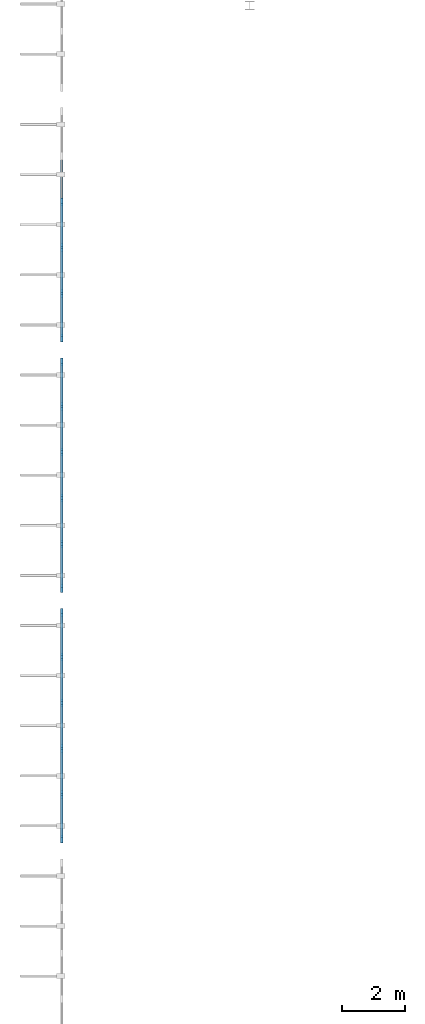
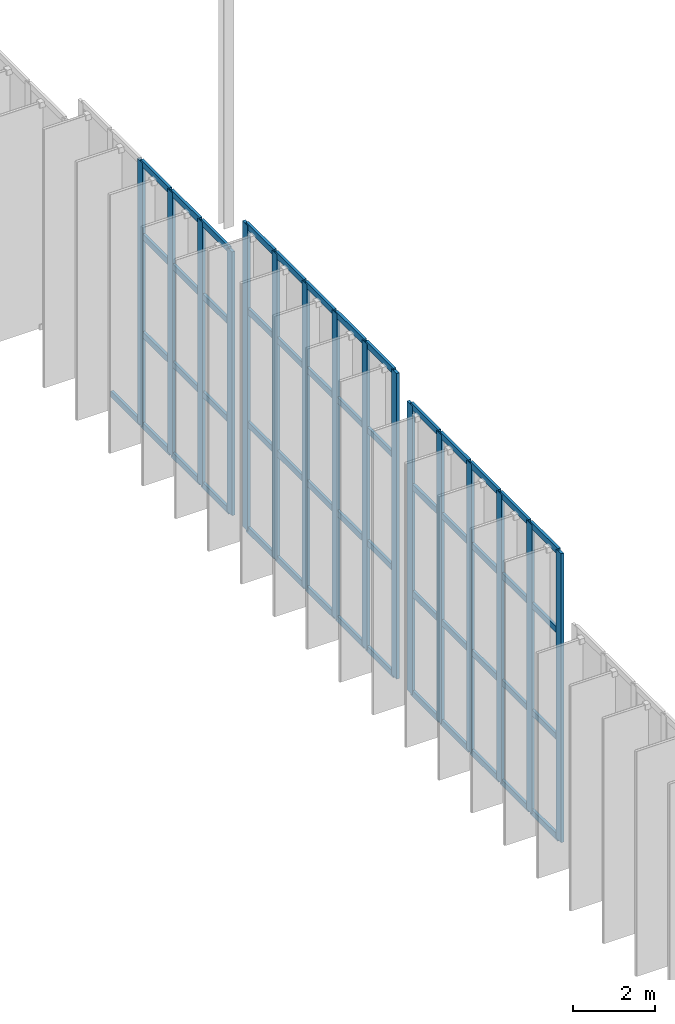
# One storey, part 6 of 38: 69 members, 3 elements without a shape of their own.
"""IFC4 building model written with IfcOpenShell, lengths in metres."""

from ifc_helpers import new_model, si_unit, direction, frame, origin, origin_2d, place, context, subcontext, project, spatial, rectangle, extrude, material, layer, layer_set, material_profile, profile_set, type_object, element, aggregate, save


model = new_model("IFC4")

# Units and contexts
model_context = context("Model", 3, precision=1e-05, world=origin(), true_north=direction((0.0, 1.0)))
body_context = subcontext(model_context, "Body", "Model", "MODEL_VIEW")
ifc_project = project(units=[si_unit("LENGTHUNIT", "METRE"), si_unit("AREAUNIT", "SQUARE_METRE"), si_unit("VOLUMEUNIT", "CUBIC_METRE"), si_unit("PLANEANGLEUNIT", "RADIAN"), si_unit("MASSUNIT", "GRAM", prefix="KILO")], contexts=[model_context])

# Site, building, storey
site_placement = place(None, origin())
site = spatial("IfcSite", under=ifc_project, at=site_placement, CompositionType="ELEMENT")
building_placement = place(site_placement, origin())
building = spatial("IfcBuilding", under=site, at=building_placement, Name="Drelvana Railside Aquatics Centre", CompositionType="ELEMENT")
storey_placement = place(building_placement, frame((0.0, 0.0, 14.39990234375)))
storey = spatial("IfcBuildingStorey", under=building, at=storey_placement, Name="L03", CompositionType="ELEMENT", Elevation=14.39990234375)

# Curtain wall, members
ifc_material_1 = material(Name="Bronze-anodised aluminium curtain wall", Category="aluminium")
ifc_layer = layer(ifc_material_1, 0.219970703125, Name="Bronze-anodised aluminium curtain wall")
ifc_layer_set = layer_set([ifc_layer], Name="Bronze-anodised aluminium curtain wall")
curtain_wall_type = type_object("IfcCurtainWallType", Name="CW-Z3-HIGH", PredefinedType="NOTDEFINED", material=ifc_layer_set)
curtain_wall_1_placement = place(storey_placement, origin())
curtain_wall_1 = element("IfcCurtainWall", 1, at=curtain_wall_1_placement, inside=storey, type_object=curtain_wall_type, Name="Curtain wall CW-03-048", PredefinedType="NOTDEFINED")
ifc_material_2 = material(Name="Bronze-anodised aluminium 6063-T6", Category="aluminium")
ifc_material_profile_1 = material_profile(ifc_material_2, rectangle(XDim=0.080078125, YDim=0.25, at=origin_2d()), Name="ALU-M 80x250")
ifc_profile_set_1 = profile_set([ifc_material_profile_1], Name="Bronze-anodised aluminium 6063-T6")
member_type_1 = type_object("IfcMemberType", Name="CW-Z3-HIGH-MUL", PredefinedType="MULLION", material=ifc_profile_set_1)
member_1_placement = place(storey_placement, frame((0.0, 40.384033203125, -0.005859375), z_axis=(0.0, 0.0, 1.0), x_axis=(-1.0, 0.0, 0.0)))
member_1 = element("IfcMember", 2, at=member_1_placement, type_object=member_type_1, Name="CW-03 mullion 1", PredefinedType="MULLION", context=body_context, shape_type="SweptSolid", body=[
    extrude(rectangle(XDim=0.080078125, YDim=0.25, at=origin_2d()), origin(), (0.0, 0.0, 1.0), 8.576904296875),
])
member_2_placement = place(storey_placement, frame((0.0, 41.806396484375, -0.005859375), z_axis=(0.0, 0.0, 1.0), x_axis=(-1.0, 0.0, 0.0)))
member_2 = element("IfcMember", 3, at=member_2_placement, type_object=member_type_1, Name="CW-03 mullion 2", PredefinedType="MULLION", context=body_context, shape_type="SweptSolid", body=[
    extrude(rectangle(XDim=0.080078125, YDim=0.25, at=origin_2d()), origin(), (0.0, 0.0, 1.0), 8.576904296875),
])
member_3_placement = place(storey_placement, frame((0.0, 43.268798828125, -0.005859375), z_axis=(0.0, 0.0, 1.0), x_axis=(-1.0, 0.0, 0.0)))
member_3 = element("IfcMember", 4, at=member_3_placement, type_object=member_type_1, Name="CW-03 mullion 3", PredefinedType="MULLION", context=body_context, shape_type="SweptSolid", body=[
    extrude(rectangle(XDim=0.080078125, YDim=0.25, at=origin_2d()), origin(), (0.0, 0.0, 1.0), 8.576904296875),
])
member_4_placement = place(storey_placement, frame((0.0, 44.731201171875, -0.005859375), z_axis=(0.0, 0.0, 1.0), x_axis=(-1.0, 0.0, 0.0)))
member_4 = element("IfcMember", 5, at=member_4_placement, type_object=member_type_1, Name="CW-03 mullion 4", PredefinedType="MULLION", context=body_context, shape_type="SweptSolid", body=[
    extrude(rectangle(XDim=0.080078125, YDim=0.25, at=origin_2d()), origin(), (0.0, 0.0, 1.0), 8.576904296875),
])
member_5_placement = place(storey_placement, frame((0.0, 46.193603515625, -0.005859375), z_axis=(0.0, 0.0, 1.0), x_axis=(-1.0, 0.0, 0.0)))
member_5 = element("IfcMember", 6, at=member_5_placement, type_object=member_type_1, Name="CW-03 mullion 5", PredefinedType="MULLION", context=body_context, shape_type="SweptSolid", body=[
    extrude(rectangle(XDim=0.080078125, YDim=0.25, at=origin_2d()), origin(), (0.0, 0.0, 1.0), 8.576904296875),
])
member_6_placement = place(storey_placement, frame((0.0, 47.615966796875, -0.005859375), z_axis=(0.0, 0.0, 1.0), x_axis=(-1.0, 0.0, 0.0)))
member_6 = element("IfcMember", 7, at=member_6_placement, type_object=member_type_1, Name="CW-03 mullion 6", PredefinedType="MULLION", context=body_context, shape_type="SweptSolid", body=[
    extrude(rectangle(XDim=0.080078125, YDim=0.25, at=origin_2d()), origin(), (0.0, 0.0, 1.0), 8.576904296875),
])

curtain_wall_2_placement = place(storey_placement, origin())
curtain_wall_2 = element("IfcCurtainWall", 8, at=curtain_wall_2_placement, inside=storey, type_object=curtain_wall_type, Name="Curtain wall CW-03-049", PredefinedType="NOTDEFINED")
member_7_placement = place(storey_placement, frame((0.0, 48.384033203125, -0.005859375), z_axis=(0.0, 0.0, 1.0), x_axis=(-1.0, 0.0, 0.0)))
member_7 = element("IfcMember", 9, at=member_7_placement, type_object=member_type_1, Name="CW-03 mullion 1", PredefinedType="MULLION", context=body_context, shape_type="SweptSolid", body=[
    extrude(rectangle(XDim=0.080078125, YDim=0.25, at=origin_2d()), origin(), (0.0, 0.0, 1.0), 9.075927734375),
])
member_8_placement = place(storey_placement, frame((0.0, 49.806396484375, -0.005859375), z_axis=(0.0, 0.0, 1.0), x_axis=(-1.0, 0.0, 0.0)))
member_8 = element("IfcMember", 10, at=member_8_placement, type_object=member_type_1, Name="CW-03 mullion 2", PredefinedType="MULLION", context=body_context, shape_type="SweptSolid", body=[
    extrude(rectangle(XDim=0.080078125, YDim=0.25, at=origin_2d()), origin(), (0.0, 0.0, 1.0), 9.075927734375),
])
member_9_placement = place(storey_placement, frame((0.0, 51.268798828125, -0.005859375), z_axis=(0.0, 0.0, 1.0), x_axis=(-1.0, 0.0, 0.0)))
member_9 = element("IfcMember", 11, at=member_9_placement, type_object=member_type_1, Name="CW-03 mullion 3", PredefinedType="MULLION", context=body_context, shape_type="SweptSolid", body=[
    extrude(rectangle(XDim=0.080078125, YDim=0.25, at=origin_2d()), origin(), (0.0, 0.0, 1.0), 9.075927734375),
])
member_10_placement = place(storey_placement, frame((0.0, 52.731201171875, -0.005859375), z_axis=(0.0, 0.0, 1.0), x_axis=(-1.0, 0.0, 0.0)))
member_10 = element("IfcMember", 12, at=member_10_placement, type_object=member_type_1, Name="CW-03 mullion 4", PredefinedType="MULLION", context=body_context, shape_type="SweptSolid", body=[
    extrude(rectangle(XDim=0.080078125, YDim=0.25, at=origin_2d()), origin(), (0.0, 0.0, 1.0), 9.075927734375),
])
member_11_placement = place(storey_placement, frame((0.0, 54.193603515625, -0.005859375), z_axis=(0.0, 0.0, 1.0), x_axis=(-1.0, 0.0, 0.0)))
member_11 = element("IfcMember", 13, at=member_11_placement, type_object=member_type_1, Name="CW-03 mullion 5", PredefinedType="MULLION", context=body_context, shape_type="SweptSolid", body=[
    extrude(rectangle(XDim=0.080078125, YDim=0.25, at=origin_2d()), origin(), (0.0, 0.0, 1.0), 9.075927734375),
])
member_12_placement = place(storey_placement, frame((0.0, 55.615966796875, -0.005859375), z_axis=(0.0, 0.0, 1.0), x_axis=(-1.0, 0.0, 0.0)))
member_12 = element("IfcMember", 14, at=member_12_placement, type_object=member_type_1, Name="CW-03 mullion 6", PredefinedType="MULLION", context=body_context, shape_type="SweptSolid", body=[
    extrude(rectangle(XDim=0.080078125, YDim=0.25, at=origin_2d()), origin(), (0.0, 0.0, 1.0), 9.075927734375),
])

curtain_wall_3_placement = place(storey_placement, origin())
curtain_wall_3 = element("IfcCurtainWall", 15, at=curtain_wall_3_placement, inside=storey, type_object=curtain_wall_type, Name="Curtain wall CW-03-053", PredefinedType="NOTDEFINED")
member_13_placement = place(storey_placement, frame((0.0, 56.384033203125, -0.005859375), z_axis=(0.0, 0.0, 1.0), x_axis=(-1.0, 0.0, 0.0)))
member_13 = element("IfcMember", 16, at=member_13_placement, type_object=member_type_1, Name="CW-03 mullion 1", PredefinedType="MULLION", context=body_context, shape_type="SweptSolid", body=[
    extrude(rectangle(XDim=0.080078125, YDim=0.25, at=origin_2d()), origin(), (0.0, 0.0, 1.0), 7.830078125),
])
member_14_placement = place(storey_placement, frame((0.0, 57.806396484375, -0.005859375), z_axis=(0.0, 0.0, 1.0), x_axis=(-1.0, 0.0, 0.0)))
member_14 = element("IfcMember", 17, at=member_14_placement, type_object=member_type_1, Name="CW-03 mullion 2", PredefinedType="MULLION", context=body_context, shape_type="SweptSolid", body=[
    extrude(rectangle(XDim=0.080078125, YDim=0.25, at=origin_2d()), origin(), (0.0, 0.0, 1.0), 7.830078125),
])
member_15_placement = place(storey_placement, frame((0.0, 59.268798828125, -0.005859375), z_axis=(0.0, 0.0, 1.0), x_axis=(-1.0, 0.0, 0.0)))
member_15 = element("IfcMember", 18, at=member_15_placement, type_object=member_type_1, Name="CW-03 mullion 3", PredefinedType="MULLION", context=body_context, shape_type="SweptSolid", body=[
    extrude(rectangle(XDim=0.080078125, YDim=0.25, at=origin_2d()), origin(), (0.0, 0.0, 1.0), 7.830078125),
])
member_16_placement = place(storey_placement, frame((0.0, 60.731201171875, -0.005859375), z_axis=(0.0, 0.0, 1.0), x_axis=(-1.0, 0.0, 0.0)))
member_16 = element("IfcMember", 19, at=member_16_placement, type_object=member_type_1, Name="CW-03 mullion 4", PredefinedType="MULLION", context=body_context, shape_type="SweptSolid", body=[
    extrude(rectangle(XDim=0.080078125, YDim=0.25, at=origin_2d()), origin(), (0.0, 0.0, 1.0), 7.830078125),
])

# Member
ifc_material_profile_2 = material_profile(ifc_material_2, rectangle(XDim=0.179931640625, YDim=0.074951171875, at=origin_2d()), Name="ALU-T 75x180")
ifc_profile_set_2 = profile_set([ifc_material_profile_2], Name="Bronze-anodised aluminium 6063-T6")
member_type_2 = type_object("IfcMemberType", Name="CW-Z3-HIGH-TRN", PredefinedType="USERDEFINED", material=ifc_profile_set_2)
member_17_placement = place(storey_placement, frame((0.0, 40.4189453125, 0.031494140625), z_axis=(0.0, 1.0, 0.0), x_axis=(0.0, 0.0, 1.0)))
member_17 = element("IfcMember", 20, at=member_17_placement, type_object=member_type_2, Name="CW-03 transom 1.1", ObjectType="TRANSOM", PredefinedType="USERDEFINED", context=body_context, shape_type="SweptSolid", body=[
    extrude(rectangle(XDim=0.179931640625, YDim=0.074951171875, at=origin_2d()), origin(), (0.0, 0.0, 1.0), 1.3525390625),
])

member_18_placement = place(storey_placement, frame((0.0, 40.4189453125, 2.99609375), z_axis=(0.0, 1.0, 0.0), x_axis=(0.0, 0.0, 1.0)))
member_18 = element("IfcMember", 21, at=member_18_placement, type_object=member_type_2, Name="CW-03 transom 1.2", ObjectType="TRANSOM", PredefinedType="USERDEFINED", context=body_context, shape_type="SweptSolid", body=[
    extrude(rectangle(XDim=0.179931640625, YDim=0.074951171875, at=origin_2d()), origin(), (0.0, 0.0, 1.0), 1.3525390625),
])

member_19_placement = place(storey_placement, frame((0.0, 40.4189453125, 6.169189453125), z_axis=(0.0, 1.0, 0.0), x_axis=(0.0, 0.0, 1.0)))
member_19 = element("IfcMember", 22, at=member_19_placement, type_object=member_type_2, Name="CW-03 transom 1.3", ObjectType="TRANSOM", PredefinedType="USERDEFINED", context=body_context, shape_type="SweptSolid", body=[
    extrude(rectangle(XDim=0.179931640625, YDim=0.074951171875, at=origin_2d()), origin(), (0.0, 0.0, 1.0), 1.3525390625),
])

member_20_placement = place(storey_placement, frame((0.0, 40.4189453125, 8.53369140625), z_axis=(0.0, 1.0, 0.0), x_axis=(0.0, 0.0, 1.0)))
member_20 = element("IfcMember", 23, at=member_20_placement, type_object=member_type_2, Name="CW-03 transom 1.4", ObjectType="TRANSOM", PredefinedType="USERDEFINED", context=body_context, shape_type="SweptSolid", body=[
    extrude(rectangle(XDim=0.179931640625, YDim=0.074951171875, at=origin_2d()), origin(), (0.0, 0.0, 1.0), 1.3525390625),
])

member_21_placement = place(storey_placement, frame((0.0, 41.84130859375, 0.031494140625), z_axis=(0.0, 1.0, 0.0), x_axis=(0.0, 0.0, 1.0)))
member_21 = element("IfcMember", 24, at=member_21_placement, type_object=member_type_2, Name="CW-03 transom 2.1", ObjectType="TRANSOM", PredefinedType="USERDEFINED", context=body_context, shape_type="SweptSolid", body=[
    extrude(rectangle(XDim=0.179931640625, YDim=0.074951171875, at=origin_2d()), origin(), (0.0, 0.0, 1.0), 1.392578125),
])

member_22_placement = place(storey_placement, frame((0.0, 41.84130859375, 2.99609375), z_axis=(0.0, 1.0, 0.0), x_axis=(0.0, 0.0, 1.0)))
member_22 = element("IfcMember", 25, at=member_22_placement, type_object=member_type_2, Name="CW-03 transom 2.2", ObjectType="TRANSOM", PredefinedType="USERDEFINED", context=body_context, shape_type="SweptSolid", body=[
    extrude(rectangle(XDim=0.179931640625, YDim=0.074951171875, at=origin_2d()), origin(), (0.0, 0.0, 1.0), 1.392578125),
])

member_23_placement = place(storey_placement, frame((0.0, 41.84130859375, 6.169189453125), z_axis=(0.0, 1.0, 0.0), x_axis=(0.0, 0.0, 1.0)))
member_23 = element("IfcMember", 26, at=member_23_placement, type_object=member_type_2, Name="CW-03 transom 2.3", ObjectType="TRANSOM", PredefinedType="USERDEFINED", context=body_context, shape_type="SweptSolid", body=[
    extrude(rectangle(XDim=0.179931640625, YDim=0.074951171875, at=origin_2d()), origin(), (0.0, 0.0, 1.0), 1.392578125),
])

member_24_placement = place(storey_placement, frame((0.0, 41.84130859375, 8.53369140625), z_axis=(0.0, 1.0, 0.0), x_axis=(0.0, 0.0, 1.0)))
member_24 = element("IfcMember", 27, at=member_24_placement, type_object=member_type_2, Name="CW-03 transom 2.4", ObjectType="TRANSOM", PredefinedType="USERDEFINED", context=body_context, shape_type="SweptSolid", body=[
    extrude(rectangle(XDim=0.179931640625, YDim=0.074951171875, at=origin_2d()), origin(), (0.0, 0.0, 1.0), 1.392578125),
])

member_25_placement = place(storey_placement, frame((0.0, 43.3037109375, 0.031494140625), z_axis=(0.0, 1.0, 0.0), x_axis=(0.0, 0.0, 1.0)))
member_25 = element("IfcMember", 28, at=member_25_placement, type_object=member_type_2, Name="CW-03 transom 3.1", ObjectType="TRANSOM", PredefinedType="USERDEFINED", context=body_context, shape_type="SweptSolid", body=[
    extrude(rectangle(XDim=0.179931640625, YDim=0.074951171875, at=origin_2d()), origin(), (0.0, 0.0, 1.0), 1.392578125),
])

member_26_placement = place(storey_placement, frame((0.0, 43.3037109375, 2.99609375), z_axis=(0.0, 1.0, 0.0), x_axis=(0.0, 0.0, 1.0)))
member_26 = element("IfcMember", 29, at=member_26_placement, type_object=member_type_2, Name="CW-03 transom 3.2", ObjectType="TRANSOM", PredefinedType="USERDEFINED", context=body_context, shape_type="SweptSolid", body=[
    extrude(rectangle(XDim=0.179931640625, YDim=0.074951171875, at=origin_2d()), origin(), (0.0, 0.0, 1.0), 1.392578125),
])

member_27_placement = place(storey_placement, frame((0.0, 43.3037109375, 6.169189453125), z_axis=(0.0, 1.0, 0.0), x_axis=(0.0, 0.0, 1.0)))
member_27 = element("IfcMember", 30, at=member_27_placement, type_object=member_type_2, Name="CW-03 transom 3.3", ObjectType="TRANSOM", PredefinedType="USERDEFINED", context=body_context, shape_type="SweptSolid", body=[
    extrude(rectangle(XDim=0.179931640625, YDim=0.074951171875, at=origin_2d()), origin(), (0.0, 0.0, 1.0), 1.392578125),
])

member_28_placement = place(storey_placement, frame((0.0, 43.3037109375, 8.53369140625), z_axis=(0.0, 1.0, 0.0), x_axis=(0.0, 0.0, 1.0)))
member_28 = element("IfcMember", 31, at=member_28_placement, type_object=member_type_2, Name="CW-03 transom 3.4", ObjectType="TRANSOM", PredefinedType="USERDEFINED", context=body_context, shape_type="SweptSolid", body=[
    extrude(rectangle(XDim=0.179931640625, YDim=0.074951171875, at=origin_2d()), origin(), (0.0, 0.0, 1.0), 1.392578125),
])

member_29_placement = place(storey_placement, frame((0.0, 44.76611328125, 0.031494140625), z_axis=(0.0, 1.0, 0.0), x_axis=(0.0, 0.0, 1.0)))
member_29 = element("IfcMember", 32, at=member_29_placement, type_object=member_type_2, Name="CW-03 transom 4.1", ObjectType="TRANSOM", PredefinedType="USERDEFINED", context=body_context, shape_type="SweptSolid", body=[
    extrude(rectangle(XDim=0.179931640625, YDim=0.074951171875, at=origin_2d()), origin(), (0.0, 0.0, 1.0), 1.392578125),
])

member_30_placement = place(storey_placement, frame((0.0, 44.76611328125, 2.99609375), z_axis=(0.0, 1.0, 0.0), x_axis=(0.0, 0.0, 1.0)))
member_30 = element("IfcMember", 33, at=member_30_placement, type_object=member_type_2, Name="CW-03 transom 4.2", ObjectType="TRANSOM", PredefinedType="USERDEFINED", context=body_context, shape_type="SweptSolid", body=[
    extrude(rectangle(XDim=0.179931640625, YDim=0.074951171875, at=origin_2d()), origin(), (0.0, 0.0, 1.0), 1.392578125),
])

member_31_placement = place(storey_placement, frame((0.0, 44.76611328125, 6.169189453125), z_axis=(0.0, 1.0, 0.0), x_axis=(0.0, 0.0, 1.0)))
member_31 = element("IfcMember", 34, at=member_31_placement, type_object=member_type_2, Name="CW-03 transom 4.3", ObjectType="TRANSOM", PredefinedType="USERDEFINED", context=body_context, shape_type="SweptSolid", body=[
    extrude(rectangle(XDim=0.179931640625, YDim=0.074951171875, at=origin_2d()), origin(), (0.0, 0.0, 1.0), 1.392578125),
])

member_32_placement = place(storey_placement, frame((0.0, 44.76611328125, 8.53369140625), z_axis=(0.0, 1.0, 0.0), x_axis=(0.0, 0.0, 1.0)))
member_32 = element("IfcMember", 35, at=member_32_placement, type_object=member_type_2, Name="CW-03 transom 4.4", ObjectType="TRANSOM", PredefinedType="USERDEFINED", context=body_context, shape_type="SweptSolid", body=[
    extrude(rectangle(XDim=0.179931640625, YDim=0.074951171875, at=origin_2d()), origin(), (0.0, 0.0, 1.0), 1.392578125),
])

member_33_placement = place(storey_placement, frame((0.0, 46.228515625, 0.031494140625), z_axis=(0.0, 1.0, 0.0), x_axis=(0.0, 0.0, 1.0)))
member_33 = element("IfcMember", 36, at=member_33_placement, type_object=member_type_2, Name="CW-03 transom 5.1", ObjectType="TRANSOM", PredefinedType="USERDEFINED", context=body_context, shape_type="SweptSolid", body=[
    extrude(rectangle(XDim=0.179931640625, YDim=0.074951171875, at=origin_2d()), origin(), (0.0, 0.0, 1.0), 1.3525390625),
])

member_34_placement = place(storey_placement, frame((0.0, 46.228515625, 2.99609375), z_axis=(0.0, 1.0, 0.0), x_axis=(0.0, 0.0, 1.0)))
member_34 = element("IfcMember", 37, at=member_34_placement, type_object=member_type_2, Name="CW-03 transom 5.2", ObjectType="TRANSOM", PredefinedType="USERDEFINED", context=body_context, shape_type="SweptSolid", body=[
    extrude(rectangle(XDim=0.179931640625, YDim=0.074951171875, at=origin_2d()), origin(), (0.0, 0.0, 1.0), 1.3525390625),
])

member_35_placement = place(storey_placement, frame((0.0, 46.228515625, 6.169189453125), z_axis=(0.0, 1.0, 0.0), x_axis=(0.0, 0.0, 1.0)))
member_35 = element("IfcMember", 38, at=member_35_placement, type_object=member_type_2, Name="CW-03 transom 5.3", ObjectType="TRANSOM", PredefinedType="USERDEFINED", context=body_context, shape_type="SweptSolid", body=[
    extrude(rectangle(XDim=0.179931640625, YDim=0.074951171875, at=origin_2d()), origin(), (0.0, 0.0, 1.0), 1.3525390625),
])

member_36_placement = place(storey_placement, frame((0.0, 46.228515625, 8.53369140625), z_axis=(0.0, 1.0, 0.0), x_axis=(0.0, 0.0, 1.0)))
member_36 = element("IfcMember", 39, at=member_36_placement, type_object=member_type_2, Name="CW-03 transom 5.4", ObjectType="TRANSOM", PredefinedType="USERDEFINED", context=body_context, shape_type="SweptSolid", body=[
    extrude(rectangle(XDim=0.179931640625, YDim=0.074951171875, at=origin_2d()), origin(), (0.0, 0.0, 1.0), 1.3525390625),
])

aggregate(curtain_wall_1, [member_1, member_2, member_3, member_4, member_5, member_6, member_17, member_18, member_19, member_20, member_21, member_22, member_23, member_24, member_25, member_26, member_27, member_28, member_29, member_30, member_31, member_32, member_33, member_34, member_35, member_36])

member_37_placement = place(storey_placement, frame((0.0, 48.4189453125, 0.031494140625), z_axis=(0.0, 1.0, 0.0), x_axis=(0.0, 0.0, 1.0)))
member_37 = element("IfcMember", 40, at=member_37_placement, type_object=member_type_2, Name="CW-03 transom 1.1", ObjectType="TRANSOM", PredefinedType="USERDEFINED", context=body_context, shape_type="SweptSolid", body=[
    extrude(rectangle(XDim=0.179931640625, YDim=0.074951171875, at=origin_2d()), origin(), (0.0, 0.0, 1.0), 1.3525390625),
])

member_38_placement = place(storey_placement, frame((0.0, 48.4189453125, 3.171142578125), z_axis=(0.0, 1.0, 0.0), x_axis=(0.0, 0.0, 1.0)))
member_38 = element("IfcMember", 41, at=member_38_placement, type_object=member_type_2, Name="CW-03 transom 1.2", ObjectType="TRANSOM", PredefinedType="USERDEFINED", context=body_context, shape_type="SweptSolid", body=[
    extrude(rectangle(XDim=0.179931640625, YDim=0.074951171875, at=origin_2d()), origin(), (0.0, 0.0, 1.0), 1.3525390625),
])

member_39_placement = place(storey_placement, frame((0.0, 48.4189453125, 6.529052734375), z_axis=(0.0, 1.0, 0.0), x_axis=(0.0, 0.0, 1.0)))
member_39 = element("IfcMember", 42, at=member_39_placement, type_object=member_type_2, Name="CW-03 transom 1.3", ObjectType="TRANSOM", PredefinedType="USERDEFINED", context=body_context, shape_type="SweptSolid", body=[
    extrude(rectangle(XDim=0.179931640625, YDim=0.074951171875, at=origin_2d()), origin(), (0.0, 0.0, 1.0), 1.3525390625),
])

member_40_placement = place(storey_placement, frame((0.0, 48.4189453125, 9.03271484375), z_axis=(0.0, 1.0, 0.0), x_axis=(0.0, 0.0, 1.0)))
member_40 = element("IfcMember", 43, at=member_40_placement, type_object=member_type_2, Name="CW-03 transom 1.4", ObjectType="TRANSOM", PredefinedType="USERDEFINED", context=body_context, shape_type="SweptSolid", body=[
    extrude(rectangle(XDim=0.179931640625, YDim=0.074951171875, at=origin_2d()), origin(), (0.0, 0.0, 1.0), 1.3525390625),
])

member_41_placement = place(storey_placement, frame((0.0, 49.84130859375, 0.031494140625), z_axis=(0.0, 1.0, 0.0), x_axis=(0.0, 0.0, 1.0)))
member_41 = element("IfcMember", 44, at=member_41_placement, type_object=member_type_2, Name="CW-03 transom 2.1", ObjectType="TRANSOM", PredefinedType="USERDEFINED", context=body_context, shape_type="SweptSolid", body=[
    extrude(rectangle(XDim=0.179931640625, YDim=0.074951171875, at=origin_2d()), origin(), (0.0, 0.0, 1.0), 1.392578125),
])

member_42_placement = place(storey_placement, frame((0.0, 49.84130859375, 3.171142578125), z_axis=(0.0, 1.0, 0.0), x_axis=(0.0, 0.0, 1.0)))
member_42 = element("IfcMember", 45, at=member_42_placement, type_object=member_type_2, Name="CW-03 transom 2.2", ObjectType="TRANSOM", PredefinedType="USERDEFINED", context=body_context, shape_type="SweptSolid", body=[
    extrude(rectangle(XDim=0.179931640625, YDim=0.074951171875, at=origin_2d()), origin(), (0.0, 0.0, 1.0), 1.392578125),
])

member_43_placement = place(storey_placement, frame((0.0, 49.84130859375, 6.529052734375), z_axis=(0.0, 1.0, 0.0), x_axis=(0.0, 0.0, 1.0)))
member_43 = element("IfcMember", 46, at=member_43_placement, type_object=member_type_2, Name="CW-03 transom 2.3", ObjectType="TRANSOM", PredefinedType="USERDEFINED", context=body_context, shape_type="SweptSolid", body=[
    extrude(rectangle(XDim=0.179931640625, YDim=0.074951171875, at=origin_2d()), origin(), (0.0, 0.0, 1.0), 1.392578125),
])

member_44_placement = place(storey_placement, frame((0.0, 49.84130859375, 9.03271484375), z_axis=(0.0, 1.0, 0.0), x_axis=(0.0, 0.0, 1.0)))
member_44 = element("IfcMember", 47, at=member_44_placement, type_object=member_type_2, Name="CW-03 transom 2.4", ObjectType="TRANSOM", PredefinedType="USERDEFINED", context=body_context, shape_type="SweptSolid", body=[
    extrude(rectangle(XDim=0.179931640625, YDim=0.074951171875, at=origin_2d()), origin(), (0.0, 0.0, 1.0), 1.392578125),
])

member_45_placement = place(storey_placement, frame((0.0, 51.3037109375, 0.031494140625), z_axis=(0.0, 1.0, 0.0), x_axis=(0.0, 0.0, 1.0)))
member_45 = element("IfcMember", 48, at=member_45_placement, type_object=member_type_2, Name="CW-03 transom 3.1", ObjectType="TRANSOM", PredefinedType="USERDEFINED", context=body_context, shape_type="SweptSolid", body=[
    extrude(rectangle(XDim=0.179931640625, YDim=0.074951171875, at=origin_2d()), origin(), (0.0, 0.0, 1.0), 1.392578125),
])

member_46_placement = place(storey_placement, frame((0.0, 51.3037109375, 3.171142578125), z_axis=(0.0, 1.0, 0.0), x_axis=(0.0, 0.0, 1.0)))
member_46 = element("IfcMember", 49, at=member_46_placement, type_object=member_type_2, Name="CW-03 transom 3.2", ObjectType="TRANSOM", PredefinedType="USERDEFINED", context=body_context, shape_type="SweptSolid", body=[
    extrude(rectangle(XDim=0.179931640625, YDim=0.074951171875, at=origin_2d()), origin(), (0.0, 0.0, 1.0), 1.392578125),
])

member_47_placement = place(storey_placement, frame((0.0, 51.3037109375, 6.529052734375), z_axis=(0.0, 1.0, 0.0), x_axis=(0.0, 0.0, 1.0)))
member_47 = element("IfcMember", 50, at=member_47_placement, type_object=member_type_2, Name="CW-03 transom 3.3", ObjectType="TRANSOM", PredefinedType="USERDEFINED", context=body_context, shape_type="SweptSolid", body=[
    extrude(rectangle(XDim=0.179931640625, YDim=0.074951171875, at=origin_2d()), origin(), (0.0, 0.0, 1.0), 1.392578125),
])

member_48_placement = place(storey_placement, frame((0.0, 51.3037109375, 9.03271484375), z_axis=(0.0, 1.0, 0.0), x_axis=(0.0, 0.0, 1.0)))
member_48 = element("IfcMember", 51, at=member_48_placement, type_object=member_type_2, Name="CW-03 transom 3.4", ObjectType="TRANSOM", PredefinedType="USERDEFINED", context=body_context, shape_type="SweptSolid", body=[
    extrude(rectangle(XDim=0.179931640625, YDim=0.074951171875, at=origin_2d()), origin(), (0.0, 0.0, 1.0), 1.392578125),
])

member_49_placement = place(storey_placement, frame((0.0, 52.76611328125, 0.031494140625), z_axis=(0.0, 1.0, 0.0), x_axis=(0.0, 0.0, 1.0)))
member_49 = element("IfcMember", 52, at=member_49_placement, type_object=member_type_2, Name="CW-03 transom 4.1", ObjectType="TRANSOM", PredefinedType="USERDEFINED", context=body_context, shape_type="SweptSolid", body=[
    extrude(rectangle(XDim=0.179931640625, YDim=0.074951171875, at=origin_2d()), origin(), (0.0, 0.0, 1.0), 1.392578125),
])

member_50_placement = place(storey_placement, frame((0.0, 52.76611328125, 3.171142578125), z_axis=(0.0, 1.0, 0.0), x_axis=(0.0, 0.0, 1.0)))
member_50 = element("IfcMember", 53, at=member_50_placement, type_object=member_type_2, Name="CW-03 transom 4.2", ObjectType="TRANSOM", PredefinedType="USERDEFINED", context=body_context, shape_type="SweptSolid", body=[
    extrude(rectangle(XDim=0.179931640625, YDim=0.074951171875, at=origin_2d()), origin(), (0.0, 0.0, 1.0), 1.392578125),
])

member_51_placement = place(storey_placement, frame((0.0, 52.76611328125, 6.529052734375), z_axis=(0.0, 1.0, 0.0), x_axis=(0.0, 0.0, 1.0)))
member_51 = element("IfcMember", 54, at=member_51_placement, type_object=member_type_2, Name="CW-03 transom 4.3", ObjectType="TRANSOM", PredefinedType="USERDEFINED", context=body_context, shape_type="SweptSolid", body=[
    extrude(rectangle(XDim=0.179931640625, YDim=0.074951171875, at=origin_2d()), origin(), (0.0, 0.0, 1.0), 1.392578125),
])

member_52_placement = place(storey_placement, frame((0.0, 52.76611328125, 9.03271484375), z_axis=(0.0, 1.0, 0.0), x_axis=(0.0, 0.0, 1.0)))
member_52 = element("IfcMember", 55, at=member_52_placement, type_object=member_type_2, Name="CW-03 transom 4.4", ObjectType="TRANSOM", PredefinedType="USERDEFINED", context=body_context, shape_type="SweptSolid", body=[
    extrude(rectangle(XDim=0.179931640625, YDim=0.074951171875, at=origin_2d()), origin(), (0.0, 0.0, 1.0), 1.392578125),
])

member_53_placement = place(storey_placement, frame((0.0, 54.228515625, 0.031494140625), z_axis=(0.0, 1.0, 0.0), x_axis=(0.0, 0.0, 1.0)))
member_53 = element("IfcMember", 56, at=member_53_placement, type_object=member_type_2, Name="CW-03 transom 5.1", ObjectType="TRANSOM", PredefinedType="USERDEFINED", context=body_context, shape_type="SweptSolid", body=[
    extrude(rectangle(XDim=0.179931640625, YDim=0.074951171875, at=origin_2d()), origin(), (0.0, 0.0, 1.0), 1.3525390625),
])

member_54_placement = place(storey_placement, frame((0.0, 54.228515625, 3.171142578125), z_axis=(0.0, 1.0, 0.0), x_axis=(0.0, 0.0, 1.0)))
member_54 = element("IfcMember", 57, at=member_54_placement, type_object=member_type_2, Name="CW-03 transom 5.2", ObjectType="TRANSOM", PredefinedType="USERDEFINED", context=body_context, shape_type="SweptSolid", body=[
    extrude(rectangle(XDim=0.179931640625, YDim=0.074951171875, at=origin_2d()), origin(), (0.0, 0.0, 1.0), 1.3525390625),
])

member_55_placement = place(storey_placement, frame((0.0, 54.228515625, 6.529052734375), z_axis=(0.0, 1.0, 0.0), x_axis=(0.0, 0.0, 1.0)))
member_55 = element("IfcMember", 58, at=member_55_placement, type_object=member_type_2, Name="CW-03 transom 5.3", ObjectType="TRANSOM", PredefinedType="USERDEFINED", context=body_context, shape_type="SweptSolid", body=[
    extrude(rectangle(XDim=0.179931640625, YDim=0.074951171875, at=origin_2d()), origin(), (0.0, 0.0, 1.0), 1.3525390625),
])

member_56_placement = place(storey_placement, frame((0.0, 54.228515625, 9.03271484375), z_axis=(0.0, 1.0, 0.0), x_axis=(0.0, 0.0, 1.0)))
member_56 = element("IfcMember", 59, at=member_56_placement, type_object=member_type_2, Name="CW-03 transom 5.4", ObjectType="TRANSOM", PredefinedType="USERDEFINED", context=body_context, shape_type="SweptSolid", body=[
    extrude(rectangle(XDim=0.179931640625, YDim=0.074951171875, at=origin_2d()), origin(), (0.0, 0.0, 1.0), 1.3525390625),
])

aggregate(curtain_wall_2, [member_7, member_8, member_9, member_10, member_11, member_12, member_37, member_38, member_39, member_40, member_41, member_42, member_43, member_44, member_45, member_46, member_47, member_48, member_49, member_50, member_51, member_52, member_53, member_54, member_55, member_56])

member_57_placement = place(storey_placement, frame((0.0, 56.4189453125, 0.031494140625), z_axis=(0.0, 1.0, 0.0), x_axis=(0.0, 0.0, 1.0)))
member_57 = element("IfcMember", 60, at=member_57_placement, type_object=member_type_2, Name="CW-03 transom 1.1", ObjectType="TRANSOM", PredefinedType="USERDEFINED", context=body_context, shape_type="SweptSolid", body=[
    extrude(rectangle(XDim=0.179931640625, YDim=0.074951171875, at=origin_2d()), origin(), (0.0, 0.0, 1.0), 1.3525390625),
])

member_58_placement = place(storey_placement, frame((0.0, 56.4189453125, 2.734130859375), z_axis=(0.0, 1.0, 0.0), x_axis=(0.0, 0.0, 1.0)))
member_58 = element("IfcMember", 61, at=member_58_placement, type_object=member_type_2, Name="CW-03 transom 1.2", ObjectType="TRANSOM", PredefinedType="USERDEFINED", context=body_context, shape_type="SweptSolid", body=[
    extrude(rectangle(XDim=0.179931640625, YDim=0.074951171875, at=origin_2d()), origin(), (0.0, 0.0, 1.0), 1.3525390625),
])

member_59_placement = place(storey_placement, frame((0.0, 56.4189453125, 5.632080078125), z_axis=(0.0, 1.0, 0.0), x_axis=(0.0, 0.0, 1.0)))
member_59 = element("IfcMember", 62, at=member_59_placement, type_object=member_type_2, Name="CW-03 transom 1.3", ObjectType="TRANSOM", PredefinedType="USERDEFINED", context=body_context, shape_type="SweptSolid", body=[
    extrude(rectangle(XDim=0.179931640625, YDim=0.074951171875, at=origin_2d()), origin(), (0.0, 0.0, 1.0), 1.3525390625),
])

member_60_placement = place(storey_placement, frame((0.0, 56.4189453125, 7.78662109375), z_axis=(0.0, 1.0, 0.0), x_axis=(0.0, 0.0, 1.0)))
member_60 = element("IfcMember", 63, at=member_60_placement, type_object=member_type_2, Name="CW-03 transom 1.4", ObjectType="TRANSOM", PredefinedType="USERDEFINED", context=body_context, shape_type="SweptSolid", body=[
    extrude(rectangle(XDim=0.179931640625, YDim=0.074951171875, at=origin_2d()), origin(), (0.0, 0.0, 1.0), 1.3525390625),
])

member_61_placement = place(storey_placement, frame((0.0, 57.84130859375, 0.031494140625), z_axis=(0.0, 1.0, 0.0), x_axis=(0.0, 0.0, 1.0)))
member_61 = element("IfcMember", 64, at=member_61_placement, type_object=member_type_2, Name="CW-03 transom 2.1", ObjectType="TRANSOM", PredefinedType="USERDEFINED", context=body_context, shape_type="SweptSolid", body=[
    extrude(rectangle(XDim=0.179931640625, YDim=0.074951171875, at=origin_2d()), origin(), (0.0, 0.0, 1.0), 1.392578125),
])

member_62_placement = place(storey_placement, frame((0.0, 57.84130859375, 2.734130859375), z_axis=(0.0, 1.0, 0.0), x_axis=(0.0, 0.0, 1.0)))
member_62 = element("IfcMember", 65, at=member_62_placement, type_object=member_type_2, Name="CW-03 transom 2.2", ObjectType="TRANSOM", PredefinedType="USERDEFINED", context=body_context, shape_type="SweptSolid", body=[
    extrude(rectangle(XDim=0.179931640625, YDim=0.074951171875, at=origin_2d()), origin(), (0.0, 0.0, 1.0), 1.392578125),
])

member_63_placement = place(storey_placement, frame((0.0, 57.84130859375, 5.632080078125), z_axis=(0.0, 1.0, 0.0), x_axis=(0.0, 0.0, 1.0)))
member_63 = element("IfcMember", 66, at=member_63_placement, type_object=member_type_2, Name="CW-03 transom 2.3", ObjectType="TRANSOM", PredefinedType="USERDEFINED", context=body_context, shape_type="SweptSolid", body=[
    extrude(rectangle(XDim=0.179931640625, YDim=0.074951171875, at=origin_2d()), origin(), (0.0, 0.0, 1.0), 1.392578125),
])

member_64_placement = place(storey_placement, frame((0.0, 57.84130859375, 7.78662109375), z_axis=(0.0, 1.0, 0.0), x_axis=(0.0, 0.0, 1.0)))
member_64 = element("IfcMember", 67, at=member_64_placement, type_object=member_type_2, Name="CW-03 transom 2.4", ObjectType="TRANSOM", PredefinedType="USERDEFINED", context=body_context, shape_type="SweptSolid", body=[
    extrude(rectangle(XDim=0.179931640625, YDim=0.074951171875, at=origin_2d()), origin(), (0.0, 0.0, 1.0), 1.392578125),
])

member_65_placement = place(storey_placement, frame((0.0, 59.3037109375, 0.031494140625), z_axis=(0.0, 1.0, 0.0), x_axis=(0.0, 0.0, 1.0)))
member_65 = element("IfcMember", 68, at=member_65_placement, type_object=member_type_2, Name="CW-03 transom 3.1", ObjectType="TRANSOM", PredefinedType="USERDEFINED", context=body_context, shape_type="SweptSolid", body=[
    extrude(rectangle(XDim=0.179931640625, YDim=0.074951171875, at=origin_2d()), origin(), (0.0, 0.0, 1.0), 1.392578125),
])

member_66_placement = place(storey_placement, frame((0.0, 59.3037109375, 2.734130859375), z_axis=(0.0, 1.0, 0.0), x_axis=(0.0, 0.0, 1.0)))
member_66 = element("IfcMember", 69, at=member_66_placement, type_object=member_type_2, Name="CW-03 transom 3.2", ObjectType="TRANSOM", PredefinedType="USERDEFINED", context=body_context, shape_type="SweptSolid", body=[
    extrude(rectangle(XDim=0.179931640625, YDim=0.074951171875, at=origin_2d()), origin(), (0.0, 0.0, 1.0), 1.392578125),
])

member_67_placement = place(storey_placement, frame((0.0, 59.3037109375, 5.632080078125), z_axis=(0.0, 1.0, 0.0), x_axis=(0.0, 0.0, 1.0)))
member_67 = element("IfcMember", 70, at=member_67_placement, type_object=member_type_2, Name="CW-03 transom 3.3", ObjectType="TRANSOM", PredefinedType="USERDEFINED", context=body_context, shape_type="SweptSolid", body=[
    extrude(rectangle(XDim=0.179931640625, YDim=0.074951171875, at=origin_2d()), origin(), (0.0, 0.0, 1.0), 1.392578125),
])

member_68_placement = place(storey_placement, frame((0.0, 59.3037109375, 7.78662109375), z_axis=(0.0, 1.0, 0.0), x_axis=(0.0, 0.0, 1.0)))
member_68 = element("IfcMember", 71, at=member_68_placement, type_object=member_type_2, Name="CW-03 transom 3.4", ObjectType="TRANSOM", PredefinedType="USERDEFINED", context=body_context, shape_type="SweptSolid", body=[
    extrude(rectangle(XDim=0.179931640625, YDim=0.074951171875, at=origin_2d()), origin(), (0.0, 0.0, 1.0), 1.392578125),
])

member_69_placement = place(storey_placement, frame((0.0, 60.76611328125, 0.031494140625), z_axis=(0.0, 1.0, 0.0), x_axis=(0.0, 0.0, 1.0)))
member_69 = element("IfcMember", 72, at=member_69_placement, type_object=member_type_2, Name="CW-03 transom 4.1", ObjectType="TRANSOM", PredefinedType="USERDEFINED", context=body_context, shape_type="SweptSolid", body=[
    extrude(rectangle(XDim=0.179931640625, YDim=0.074951171875, at=origin_2d()), origin(), (0.0, 0.0, 1.0), 1.392578125),
])

aggregate(curtain_wall_3, [member_13, member_14, member_15, member_16, member_57, member_58, member_59, member_60, member_61, member_62, member_63, member_64, member_65, member_66, member_67, member_68, member_69])

save(model, "model.ifc")
